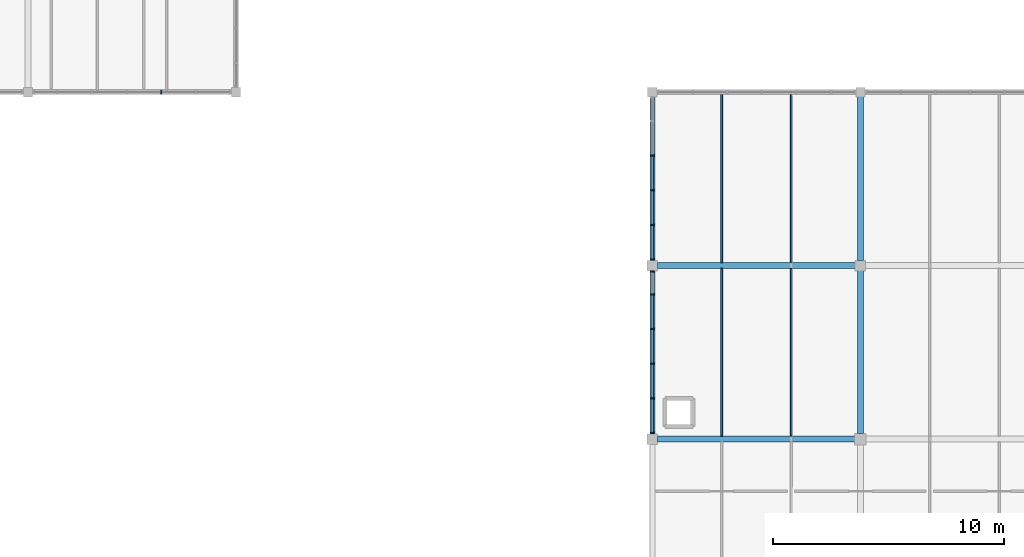
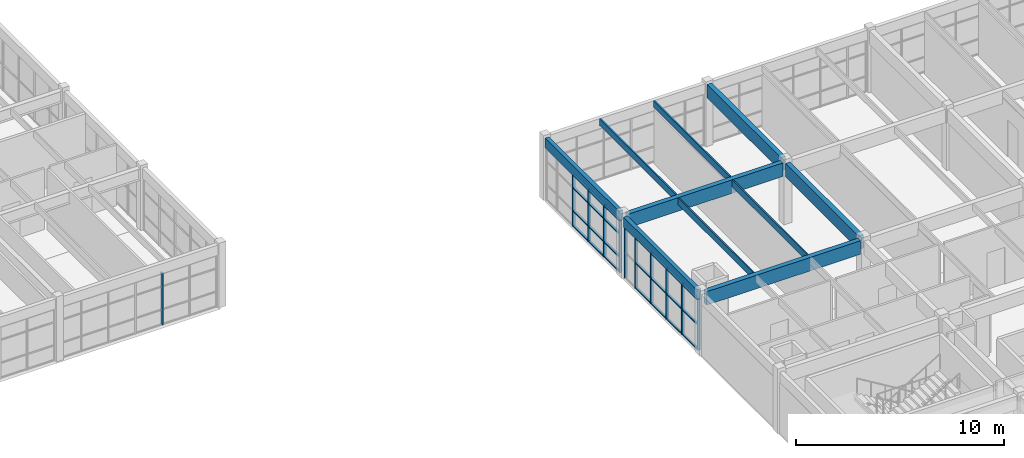
# One storey, part 27 of 81: 35 members, 10 beams, 3 elements without a shape of their own.
"""IFC4 building model written with IfcOpenShell, lengths in metres."""

from ifc_helpers import new_model, si_unit, direction, frame, origin, origin_2d, place, context, subcontext, project, spatial, rectangle, extrude, material, layer, layer_set, material_profile, profile_set, type_object, element, aggregate, save


model = new_model("IFC4")

# Units and contexts
model_context = context("Model", 3, precision=1e-05, world=origin(), true_north=direction((0.0, 1.0)))
body_context = subcontext(model_context, "Body", "Model", "MODEL_VIEW")
ifc_project = project(units=[si_unit("LENGTHUNIT", "METRE"), si_unit("AREAUNIT", "SQUARE_METRE"), si_unit("VOLUMEUNIT", "CUBIC_METRE"), si_unit("PLANEANGLEUNIT", "RADIAN"), si_unit("MASSUNIT", "GRAM", prefix="KILO")], contexts=[model_context])

# Site, building, storey
site_placement = place(None, origin())
site = spatial("IfcSite", under=ifc_project, at=site_placement, CompositionType="ELEMENT")
building_placement = place(site_placement, origin())
building = spatial("IfcBuilding", under=site, at=building_placement, Name="Marnridge Secondary College", CompositionType="ELEMENT")
storey_placement = place(building_placement, frame((0.0, 0.0, 8.5)))
storey = spatial("IfcBuildingStorey", under=building, at=storey_placement, Name="L02", CompositionType="ELEMENT", Elevation=8.5)

# Beams
ifc_material_1 = material(Name="Glulam timber GL18", Category="wood")
ifc_material_profile_1 = material_profile(ifc_material_1, rectangle(XDim=0.215087890625, YDim=0.5849609375, at=origin_2d()), Name="GL18 215x585")
ifc_profile_set_1 = profile_set([ifc_material_profile_1], Name="Glulam timber GL18")
beam_type_1 = type_object("IfcBeamType", Name="BM-GL585-EXT", PredefinedType="SPANDREL", material=ifc_profile_set_1)
beam_1_placement = place(storey_placement, frame((54.0, 67.718994140625, 3.277587890625), z_axis=(0.0, 1.0, 0.0), x_axis=(-1.0, 0.0, 0.0)))
element("IfcBeam", 1, at=beam_1_placement, inside=storey, type_object=beam_type_1, Name="Beam BS-L02-0767", PredefinedType="SPANDREL", context=body_context, shape_type="SweptSolid", body=[
    extrude(rectangle(XDim=0.215087890625, YDim=0.5849609375, at=origin_2d()), origin(), (0.0, 0.0, 1.0), 7.06201171875),
])
beam_2_placement = place(storey_placement, frame((54.0, 75.218994140625, 3.347412109375), z_axis=(0.0, 1.0, 0.0), x_axis=(-1.0, 0.0, 0.0)))
element("IfcBeam", 2, at=beam_2_placement, inside=storey, type_object=beam_type_1, Name="Beam BS-L02-0806", PredefinedType="SPANDREL", context=body_context, shape_type="SweptSolid", body=[
    extrude(rectangle(XDim=0.215087890625, YDim=0.5849609375, at=origin_2d()), origin(), (0.0, 0.0, 1.0), 7.0869140625),
])
ifc_material_2 = material(Name="Glulam timber GL18", Category="wood")
ifc_material_profile_2 = material_profile(ifc_material_2, rectangle(XDim=0.260009765625, YDim=0.7900390625, at=origin_2d()), Name="GL18 260x790")
ifc_profile_set_2 = profile_set([ifc_material_profile_2], Name="Glulam timber GL18")
beam_type_2 = type_object("IfcBeamType", Name="BM-GL790-INT", PredefinedType="BEAM", material=ifc_profile_set_2)
beam_3_placement = place(storey_placement, frame((54.218994140625, 67.5, 3.175048828125), z_axis=(1.0, 0.0, 0.0), x_axis=(0.0, 1.0, 0.0)))
element("IfcBeam", 3, at=beam_3_placement, inside=storey, type_object=beam_type_2, Name="Beam B-L02-0763", PredefinedType="BEAM", context=body_context, shape_type="SweptSolid", body=[
    extrude(rectangle(XDim=0.260009765625, YDim=0.7900390625, at=origin_2d()), origin(), (0.0, 0.0, 1.0), 8.537109375),
])
beam_4_placement = place(storey_placement, frame((54.218994140625, 75.0, 3.175048828125), z_axis=(1.0, 0.0, 0.0), x_axis=(0.0, 1.0, 0.0)))
element("IfcBeam", 4, at=beam_4_placement, inside=storey, type_object=beam_type_2, Name="Beam B-L02-0766", PredefinedType="BEAM", context=body_context, shape_type="SweptSolid", body=[
    extrude(rectangle(XDim=0.260009765625, YDim=0.7900390625, at=origin_2d()), origin(), (0.0, 0.0, 1.0), 8.56201171875),
])
beam_5_placement = place(storey_placement, frame((63.0, 67.743896484375, 3.175048828125), z_axis=(0.0, 1.0, 0.0), x_axis=(-1.0, 0.0, 0.0)))
element("IfcBeam", 5, at=beam_5_placement, inside=storey, type_object=beam_type_2, Name="Beam B-L02-0768", PredefinedType="BEAM", context=body_context, shape_type="SweptSolid", body=[
    extrude(rectangle(XDim=0.260009765625, YDim=0.7900390625, at=origin_2d()), origin(), (0.0, 0.0, 1.0), 7.037109375),
])
beam_6_placement = place(storey_placement, frame((63.0, 75.218994140625, 3.2451171875), z_axis=(0.0, 1.0, 0.0), x_axis=(-1.0, 0.0, 0.0)))
element("IfcBeam", 6, at=beam_6_placement, inside=storey, type_object=beam_type_2, Name="Beam B-L02-0807", PredefinedType="BEAM", context=body_context, shape_type="SweptSolid", body=[
    extrude(rectangle(XDim=0.260009765625, YDim=0.7900390625, at=origin_2d()), origin(), (0.0, 0.0, 1.0), 7.0869140625),
])
ifc_material_3 = material(Name="Engineered timber LVL E13.2", Category="wood")
ifc_material_profile_3 = material_profile(ifc_material_3, rectangle(XDim=0.074951171875, YDim=0.39990234375, at=origin_2d()), Name="LVL 75x400")
ifc_profile_set_3 = profile_set([ifc_material_profile_3], Name="Engineered timber LVL E13.2")
beam_type_3 = type_object("IfcBeamType", Name="BM-LVL400-INT", PredefinedType="JOIST", material=ifc_profile_set_3)
for number, where, z_axis, x_axis, name in (
    (7, (57.0, 67.6240234375, 3.3701171875), (0.0, 1.0, 0.0), (-1.0, 0.0, 0.0), "Beam BJ-L02-0818"),
    (8, (60.0, 67.6240234375, 3.3701171875), (0.0, 1.0, 0.0), (-1.0, 0.0, 0.0), "Beam BJ-L02-0819"),
):
    element("IfcBeam", number, at=place(storey_placement, frame(where, z_axis=z_axis, x_axis=x_axis)), inside=storey, type_object=beam_type_3, Name=name, PredefinedType="JOIST", context=body_context, shape_type="SweptSolid", body=[
        extrude(rectangle(XDim=0.074951171875, YDim=0.39990234375, at=origin_2d()), origin(), (0.0, 0.0, 1.0), 7.251953125),
    ])
for number, where, z_axis, x_axis, name in (
    (9, (57.0, 75.1240234375, 3.43994140625), (0.0, 1.0, 0.0), (-1.0, 0.0, 0.0), "Beam BJ-L02-0849"),
    (10, (60.0, 75.1240234375, 3.43994140625), (0.0, 1.0, 0.0), (-1.0, 0.0, 0.0), "Beam BJ-L02-0850"),
):
    element("IfcBeam", number, at=place(storey_placement, frame(where, z_axis=z_axis, x_axis=x_axis)), inside=storey, type_object=beam_type_3, Name=name, PredefinedType="JOIST", context=body_context, shape_type="SweptSolid", body=[
        extrude(rectangle(XDim=0.074951171875, YDim=0.39990234375, at=origin_2d()), origin(), (0.0, 0.0, 1.0), 7.2744140625),
    ])

# Curtain wall, members
ifc_material_4 = material(Name="Thermally broken aluminium and low-E glazing", Category="aluminium")
ifc_layer = layer(ifc_material_4, 0.159912109375)
ifc_layer_set = layer_set([ifc_layer], Name="CW-MOD-1500")
curtain_wall_type = type_object("IfcCurtainWallType", Name="CW-MOD-1500", PredefinedType="NOTDEFINED", material=ifc_layer_set)
curtain_wall_1_placement = place(storey_placement, origin())
curtain_wall_1 = element("IfcCurtainWall", 11, at=curtain_wall_1_placement, inside=storey, type_object=curtain_wall_type, Name="Unitised curtain wall CW-L02-083", PredefinedType="NOTDEFINED")
ifc_material_5 = material(Name="Anodised aluminium 6063-T6", Category="aluminium")
ifc_material_profile_4 = material_profile(ifc_material_5, rectangle(XDim=0.06005859375, YDim=0.159912109375, at=origin_2d()), Name="ALU 60x160")
ifc_profile_set_4 = profile_set([ifc_material_profile_4], Name="Anodised aluminium 6063-T6")
member_type_1 = type_object("IfcMemberType", Name="CWM-ALU160", PredefinedType="MULLION", material=ifc_profile_set_4)
member_1_placement = place(storey_placement, frame((54.0, 67.759033203125, 0.0), z_axis=(0.0, 0.0, 1.0), x_axis=(0.0, 1.0, 0.0)))
member_1 = element("IfcMember", 12, at=member_1_placement, type_object=member_type_1, Name="CW-L02-083 mullion 1", PredefinedType="MULLION", context=body_context, shape_type="SweptSolid", body=[
    extrude(rectangle(XDim=0.06005859375, YDim=0.159912109375, at=origin_2d()), origin(), (0.0, 0.0, 1.0), 2.97705078125),
])
member_2_placement = place(storey_placement, frame((54.0, 69.259033203125, 0.0), z_axis=(0.0, 0.0, 1.0), x_axis=(0.0, 1.0, 0.0)))
member_2 = element("IfcMember", 13, at=member_2_placement, type_object=member_type_1, Name="CW-L02-083 mullion 2", PredefinedType="MULLION", context=body_context, shape_type="SweptSolid", body=[
    extrude(rectangle(XDim=0.06005859375, YDim=0.159912109375, at=origin_2d()), origin(), (0.0, 0.0, 1.0), 2.97705078125),
])
member_3_placement = place(storey_placement, frame((54.0, 70.759033203125, 0.0), z_axis=(0.0, 0.0, 1.0), x_axis=(0.0, 1.0, 0.0)))
member_3 = element("IfcMember", 14, at=member_3_placement, type_object=member_type_1, Name="CW-L02-083 mullion 3", PredefinedType="MULLION", context=body_context, shape_type="SweptSolid", body=[
    extrude(rectangle(XDim=0.06005859375, YDim=0.159912109375, at=origin_2d()), origin(), (0.0, 0.0, 1.0), 2.97705078125),
])
member_4_placement = place(storey_placement, frame((54.0, 72.259033203125, 0.0), z_axis=(0.0, 0.0, 1.0), x_axis=(0.0, 1.0, 0.0)))
member_4 = element("IfcMember", 15, at=member_4_placement, type_object=member_type_1, Name="CW-L02-083 mullion 4", PredefinedType="MULLION", context=body_context, shape_type="SweptSolid", body=[
    extrude(rectangle(XDim=0.06005859375, YDim=0.159912109375, at=origin_2d()), origin(), (0.0, 0.0, 1.0), 2.97705078125),
])
member_5_placement = place(storey_placement, frame((54.0, 73.759033203125, 0.0), z_axis=(0.0, 0.0, 1.0), x_axis=(0.0, 1.0, 0.0)))
member_5 = element("IfcMember", 16, at=member_5_placement, type_object=member_type_1, Name="CW-L02-083 mullion 5", PredefinedType="MULLION", context=body_context, shape_type="SweptSolid", body=[
    extrude(rectangle(XDim=0.06005859375, YDim=0.159912109375, at=origin_2d()), origin(), (0.0, 0.0, 1.0), 2.97705078125),
])
member_6_placement = place(storey_placement, frame((54.0, 74.740966796875, 0.0), z_axis=(0.0, 0.0, 1.0), x_axis=(0.0, 1.0, 0.0)))
member_6 = element("IfcMember", 17, at=member_6_placement, type_object=member_type_1, Name="CW-L02-083 mullion 6", PredefinedType="MULLION", context=body_context, shape_type="SweptSolid", body=[
    extrude(rectangle(XDim=0.06005859375, YDim=0.159912109375, at=origin_2d()), origin(), (0.0, 0.0, 1.0), 2.97705078125),
])

curtain_wall_2_placement = place(storey_placement, origin())
curtain_wall_2 = element("IfcCurtainWall", 18, at=curtain_wall_2_placement, inside=storey, type_object=curtain_wall_type, Name="Unitised curtain wall CW-L02-084", PredefinedType="NOTDEFINED")
member_7_placement = place(storey_placement, frame((54.0, 75.259033203125, 0.0), z_axis=(0.0, 0.0, 1.0), x_axis=(0.0, 1.0, 0.0)))
member_7 = element("IfcMember", 19, at=member_7_placement, type_object=member_type_1, Name="CW-L02-084 mullion 1", PredefinedType="MULLION", context=body_context, shape_type="SweptSolid", body=[
    extrude(rectangle(XDim=0.06005859375, YDim=0.159912109375, at=origin_2d()), origin(), (0.0, 0.0, 1.0), 3.047119140625),
])
member_8_placement = place(storey_placement, frame((54.0, 76.759033203125, 0.0), z_axis=(0.0, 0.0, 1.0), x_axis=(0.0, 1.0, 0.0)))
member_8 = element("IfcMember", 20, at=member_8_placement, type_object=member_type_1, Name="CW-L02-084 mullion 2", PredefinedType="MULLION", context=body_context, shape_type="SweptSolid", body=[
    extrude(rectangle(XDim=0.06005859375, YDim=0.159912109375, at=origin_2d()), origin(), (0.0, 0.0, 1.0), 3.047119140625),
])
member_9_placement = place(storey_placement, frame((54.0, 78.259033203125, 0.0), z_axis=(0.0, 0.0, 1.0), x_axis=(0.0, 1.0, 0.0)))
member_9 = element("IfcMember", 21, at=member_9_placement, type_object=member_type_1, Name="CW-L02-084 mullion 3", PredefinedType="MULLION", context=body_context, shape_type="SweptSolid", body=[
    extrude(rectangle(XDim=0.06005859375, YDim=0.159912109375, at=origin_2d()), origin(), (0.0, 0.0, 1.0), 3.047119140625),
])
member_10_placement = place(storey_placement, frame((54.0, 79.759033203125, 0.0), z_axis=(0.0, 0.0, 1.0), x_axis=(0.0, 1.0, 0.0)))
member_10 = element("IfcMember", 22, at=member_10_placement, type_object=member_type_1, Name="CW-L02-084 mullion 4", PredefinedType="MULLION", context=body_context, shape_type="SweptSolid", body=[
    extrude(rectangle(XDim=0.06005859375, YDim=0.159912109375, at=origin_2d()), origin(), (0.0, 0.0, 1.0), 3.047119140625),
])

# Curtain wall, member
curtain_wall_3_placement = place(storey_placement, origin())
curtain_wall_3 = element("IfcCurtainWall", 23, at=curtain_wall_3_placement, inside=storey, type_object=curtain_wall_type, Name="Unitised curtain wall CW-L02-092", PredefinedType="NOTDEFINED")
member_11_placement = place(storey_placement, frame((32.76611328125, 82.5, 0.0), z_axis=(0.0, 0.0, 1.0), x_axis=(-1.0, 0.0, 0.0)))
member_11 = element("IfcMember", 24, at=member_11_placement, type_object=member_type_1, Name="CW-L02-092 mullion 3", PredefinedType="MULLION", context=body_context, shape_type="SweptSolid", body=[
    extrude(rectangle(XDim=0.06005859375, YDim=0.159912109375, at=origin_2d()), origin(), (0.0, 0.0, 1.0), 3.047119140625),
])
aggregate(curtain_wall_3, [member_11])

# Member
ifc_material_6 = material(Name="Anodised aluminium 6063-T6", Category="aluminium")
ifc_material_profile_5 = material_profile(ifc_material_6, rectangle(XDim=0.06005859375, YDim=0.1201171875, at=origin_2d()), Name="ALU 60x120")
ifc_profile_set_5 = profile_set([ifc_material_profile_5], Name="Anodised aluminium 6063-T6")
member_type_2 = type_object("IfcMemberType", Name="CWT-ALU120", PredefinedType="USERDEFINED", material=ifc_profile_set_5)
member_12_placement = place(storey_placement, frame((54.0, 67.7890625, 0.030029296875), z_axis=(0.0, 1.0, 0.0), x_axis=(0.0, 0.0, 1.0)))
member_12 = element("IfcMember", 25, at=member_12_placement, type_object=member_type_2, Name="CW-L02-083 transom 1.1", ObjectType="TRANSOM", PredefinedType="USERDEFINED", context=body_context, shape_type="SweptSolid", body=[
    extrude(rectangle(XDim=0.06005859375, YDim=0.1201171875, at=origin_2d()), origin(), (0.0, 0.0, 1.0), 1.43994140625),
])

member_13_placement = place(storey_placement, frame((54.0, 67.7890625, 1.489013671875), z_axis=(0.0, 1.0, 0.0), x_axis=(0.0, 0.0, 1.0)))
member_13 = element("IfcMember", 26, at=member_13_placement, type_object=member_type_2, Name="CW-L02-083 transom 1.2", ObjectType="TRANSOM", PredefinedType="USERDEFINED", context=body_context, shape_type="SweptSolid", body=[
    extrude(rectangle(XDim=0.06005859375, YDim=0.1201171875, at=origin_2d()), origin(), (0.0, 0.0, 1.0), 1.43994140625),
])

member_14_placement = place(storey_placement, frame((54.0, 67.7890625, 2.947021484375), z_axis=(0.0, 1.0, 0.0), x_axis=(0.0, 0.0, 1.0)))
member_14 = element("IfcMember", 27, at=member_14_placement, type_object=member_type_2, Name="CW-L02-083 transom 1.3", ObjectType="TRANSOM", PredefinedType="USERDEFINED", context=body_context, shape_type="SweptSolid", body=[
    extrude(rectangle(XDim=0.06005859375, YDim=0.1201171875, at=origin_2d()), origin(), (0.0, 0.0, 1.0), 1.43994140625),
])

member_15_placement = place(storey_placement, frame((54.0, 69.2890625, 0.030029296875), z_axis=(0.0, 1.0, 0.0), x_axis=(0.0, 0.0, 1.0)))
member_15 = element("IfcMember", 28, at=member_15_placement, type_object=member_type_2, Name="CW-L02-083 transom 2.1", ObjectType="TRANSOM", PredefinedType="USERDEFINED", context=body_context, shape_type="SweptSolid", body=[
    extrude(rectangle(XDim=0.06005859375, YDim=0.1201171875, at=origin_2d()), origin(), (0.0, 0.0, 1.0), 1.43994140625),
])

member_16_placement = place(storey_placement, frame((54.0, 69.2890625, 1.489013671875), z_axis=(0.0, 1.0, 0.0), x_axis=(0.0, 0.0, 1.0)))
member_16 = element("IfcMember", 29, at=member_16_placement, type_object=member_type_2, Name="CW-L02-083 transom 2.2", ObjectType="TRANSOM", PredefinedType="USERDEFINED", context=body_context, shape_type="SweptSolid", body=[
    extrude(rectangle(XDim=0.06005859375, YDim=0.1201171875, at=origin_2d()), origin(), (0.0, 0.0, 1.0), 1.43994140625),
])

member_17_placement = place(storey_placement, frame((54.0, 69.2890625, 2.947021484375), z_axis=(0.0, 1.0, 0.0), x_axis=(0.0, 0.0, 1.0)))
member_17 = element("IfcMember", 30, at=member_17_placement, type_object=member_type_2, Name="CW-L02-083 transom 2.3", ObjectType="TRANSOM", PredefinedType="USERDEFINED", context=body_context, shape_type="SweptSolid", body=[
    extrude(rectangle(XDim=0.06005859375, YDim=0.1201171875, at=origin_2d()), origin(), (0.0, 0.0, 1.0), 1.43994140625),
])

member_18_placement = place(storey_placement, frame((54.0, 70.7890625, 0.030029296875), z_axis=(0.0, 1.0, 0.0), x_axis=(0.0, 0.0, 1.0)))
member_18 = element("IfcMember", 31, at=member_18_placement, type_object=member_type_2, Name="CW-L02-083 transom 3.1", ObjectType="TRANSOM", PredefinedType="USERDEFINED", context=body_context, shape_type="SweptSolid", body=[
    extrude(rectangle(XDim=0.06005859375, YDim=0.1201171875, at=origin_2d()), origin(), (0.0, 0.0, 1.0), 1.43994140625),
])

member_19_placement = place(storey_placement, frame((54.0, 70.7890625, 1.489013671875), z_axis=(0.0, 1.0, 0.0), x_axis=(0.0, 0.0, 1.0)))
member_19 = element("IfcMember", 32, at=member_19_placement, type_object=member_type_2, Name="CW-L02-083 transom 3.2", ObjectType="TRANSOM", PredefinedType="USERDEFINED", context=body_context, shape_type="SweptSolid", body=[
    extrude(rectangle(XDim=0.06005859375, YDim=0.1201171875, at=origin_2d()), origin(), (0.0, 0.0, 1.0), 1.43994140625),
])

member_20_placement = place(storey_placement, frame((54.0, 70.7890625, 2.947021484375), z_axis=(0.0, 1.0, 0.0), x_axis=(0.0, 0.0, 1.0)))
member_20 = element("IfcMember", 33, at=member_20_placement, type_object=member_type_2, Name="CW-L02-083 transom 3.3", ObjectType="TRANSOM", PredefinedType="USERDEFINED", context=body_context, shape_type="SweptSolid", body=[
    extrude(rectangle(XDim=0.06005859375, YDim=0.1201171875, at=origin_2d()), origin(), (0.0, 0.0, 1.0), 1.43994140625),
])

member_21_placement = place(storey_placement, frame((54.0, 72.2890625, 0.030029296875), z_axis=(0.0, 1.0, 0.0), x_axis=(0.0, 0.0, 1.0)))
member_21 = element("IfcMember", 34, at=member_21_placement, type_object=member_type_2, Name="CW-L02-083 transom 4.1", ObjectType="TRANSOM", PredefinedType="USERDEFINED", context=body_context, shape_type="SweptSolid", body=[
    extrude(rectangle(XDim=0.06005859375, YDim=0.1201171875, at=origin_2d()), origin(), (0.0, 0.0, 1.0), 1.43994140625),
])

member_22_placement = place(storey_placement, frame((54.0, 72.2890625, 1.489013671875), z_axis=(0.0, 1.0, 0.0), x_axis=(0.0, 0.0, 1.0)))
member_22 = element("IfcMember", 35, at=member_22_placement, type_object=member_type_2, Name="CW-L02-083 transom 4.2", ObjectType="TRANSOM", PredefinedType="USERDEFINED", context=body_context, shape_type="SweptSolid", body=[
    extrude(rectangle(XDim=0.06005859375, YDim=0.1201171875, at=origin_2d()), origin(), (0.0, 0.0, 1.0), 1.43994140625),
])

member_23_placement = place(storey_placement, frame((54.0, 72.2890625, 2.947021484375), z_axis=(0.0, 1.0, 0.0), x_axis=(0.0, 0.0, 1.0)))
member_23 = element("IfcMember", 36, at=member_23_placement, type_object=member_type_2, Name="CW-L02-083 transom 4.3", ObjectType="TRANSOM", PredefinedType="USERDEFINED", context=body_context, shape_type="SweptSolid", body=[
    extrude(rectangle(XDim=0.06005859375, YDim=0.1201171875, at=origin_2d()), origin(), (0.0, 0.0, 1.0), 1.43994140625),
])

aggregate(curtain_wall_1, [member_1, member_2, member_3, member_4, member_5, member_6, member_12, member_13, member_14, member_15, member_16, member_17, member_18, member_19, member_20, member_21, member_22, member_23])

member_24_placement = place(storey_placement, frame((54.0, 75.2890625, 0.030029296875), z_axis=(0.0, 1.0, 0.0), x_axis=(0.0, 0.0, 1.0)))
member_24 = element("IfcMember", 37, at=member_24_placement, type_object=member_type_2, Name="CW-L02-084 transom 1.1", ObjectType="TRANSOM", PredefinedType="USERDEFINED", context=body_context, shape_type="SweptSolid", body=[
    extrude(rectangle(XDim=0.06005859375, YDim=0.1201171875, at=origin_2d()), origin(), (0.0, 0.0, 1.0), 1.43994140625),
])

member_25_placement = place(storey_placement, frame((54.0, 75.2890625, 0.89990234375), z_axis=(0.0, 1.0, 0.0), x_axis=(0.0, 0.0, 1.0)))
member_25 = element("IfcMember", 38, at=member_25_placement, type_object=member_type_2, Name="CW-L02-084 transom 1.2", ObjectType="TRANSOM", PredefinedType="USERDEFINED", context=body_context, shape_type="SweptSolid", body=[
    extrude(rectangle(XDim=0.06005859375, YDim=0.1201171875, at=origin_2d()), origin(), (0.0, 0.0, 1.0), 1.43994140625),
])

member_26_placement = place(storey_placement, frame((54.0, 75.2890625, 2.25), z_axis=(0.0, 1.0, 0.0), x_axis=(0.0, 0.0, 1.0)))
member_26 = element("IfcMember", 39, at=member_26_placement, type_object=member_type_2, Name="CW-L02-084 transom 1.3", ObjectType="TRANSOM", PredefinedType="USERDEFINED", context=body_context, shape_type="SweptSolid", body=[
    extrude(rectangle(XDim=0.06005859375, YDim=0.1201171875, at=origin_2d()), origin(), (0.0, 0.0, 1.0), 1.43994140625),
])

member_27_placement = place(storey_placement, frame((54.0, 75.2890625, 3.01708984375), z_axis=(0.0, 1.0, 0.0), x_axis=(0.0, 0.0, 1.0)))
member_27 = element("IfcMember", 40, at=member_27_placement, type_object=member_type_2, Name="CW-L02-084 transom 1.4", ObjectType="TRANSOM", PredefinedType="USERDEFINED", context=body_context, shape_type="SweptSolid", body=[
    extrude(rectangle(XDim=0.06005859375, YDim=0.1201171875, at=origin_2d()), origin(), (0.0, 0.0, 1.0), 1.43994140625),
])

member_28_placement = place(storey_placement, frame((54.0, 76.7890625, 0.030029296875), z_axis=(0.0, 1.0, 0.0), x_axis=(0.0, 0.0, 1.0)))
member_28 = element("IfcMember", 41, at=member_28_placement, type_object=member_type_2, Name="CW-L02-084 transom 2.1", ObjectType="TRANSOM", PredefinedType="USERDEFINED", context=body_context, shape_type="SweptSolid", body=[
    extrude(rectangle(XDim=0.06005859375, YDim=0.1201171875, at=origin_2d()), origin(), (0.0, 0.0, 1.0), 1.43994140625),
])

member_29_placement = place(storey_placement, frame((54.0, 76.7890625, 0.89990234375), z_axis=(0.0, 1.0, 0.0), x_axis=(0.0, 0.0, 1.0)))
member_29 = element("IfcMember", 42, at=member_29_placement, type_object=member_type_2, Name="CW-L02-084 transom 2.2", ObjectType="TRANSOM", PredefinedType="USERDEFINED", context=body_context, shape_type="SweptSolid", body=[
    extrude(rectangle(XDim=0.06005859375, YDim=0.1201171875, at=origin_2d()), origin(), (0.0, 0.0, 1.0), 1.43994140625),
])

member_30_placement = place(storey_placement, frame((54.0, 76.7890625, 2.25), z_axis=(0.0, 1.0, 0.0), x_axis=(0.0, 0.0, 1.0)))
member_30 = element("IfcMember", 43, at=member_30_placement, type_object=member_type_2, Name="CW-L02-084 transom 2.3", ObjectType="TRANSOM", PredefinedType="USERDEFINED", context=body_context, shape_type="SweptSolid", body=[
    extrude(rectangle(XDim=0.06005859375, YDim=0.1201171875, at=origin_2d()), origin(), (0.0, 0.0, 1.0), 1.43994140625),
])

member_31_placement = place(storey_placement, frame((54.0, 76.7890625, 3.01708984375), z_axis=(0.0, 1.0, 0.0), x_axis=(0.0, 0.0, 1.0)))
member_31 = element("IfcMember", 44, at=member_31_placement, type_object=member_type_2, Name="CW-L02-084 transom 2.4", ObjectType="TRANSOM", PredefinedType="USERDEFINED", context=body_context, shape_type="SweptSolid", body=[
    extrude(rectangle(XDim=0.06005859375, YDim=0.1201171875, at=origin_2d()), origin(), (0.0, 0.0, 1.0), 1.43994140625),
])

member_32_placement = place(storey_placement, frame((54.0, 78.2890625, 0.030029296875), z_axis=(0.0, 1.0, 0.0), x_axis=(0.0, 0.0, 1.0)))
member_32 = element("IfcMember", 45, at=member_32_placement, type_object=member_type_2, Name="CW-L02-084 transom 3.1", ObjectType="TRANSOM", PredefinedType="USERDEFINED", context=body_context, shape_type="SweptSolid", body=[
    extrude(rectangle(XDim=0.06005859375, YDim=0.1201171875, at=origin_2d()), origin(), (0.0, 0.0, 1.0), 1.43994140625),
])

member_33_placement = place(storey_placement, frame((54.0, 78.2890625, 0.89990234375), z_axis=(0.0, 1.0, 0.0), x_axis=(0.0, 0.0, 1.0)))
member_33 = element("IfcMember", 46, at=member_33_placement, type_object=member_type_2, Name="CW-L02-084 transom 3.2", ObjectType="TRANSOM", PredefinedType="USERDEFINED", context=body_context, shape_type="SweptSolid", body=[
    extrude(rectangle(XDim=0.06005859375, YDim=0.1201171875, at=origin_2d()), origin(), (0.0, 0.0, 1.0), 1.43994140625),
])

member_34_placement = place(storey_placement, frame((54.0, 78.2890625, 2.25), z_axis=(0.0, 1.0, 0.0), x_axis=(0.0, 0.0, 1.0)))
member_34 = element("IfcMember", 47, at=member_34_placement, type_object=member_type_2, Name="CW-L02-084 transom 3.3", ObjectType="TRANSOM", PredefinedType="USERDEFINED", context=body_context, shape_type="SweptSolid", body=[
    extrude(rectangle(XDim=0.06005859375, YDim=0.1201171875, at=origin_2d()), origin(), (0.0, 0.0, 1.0), 1.43994140625),
])

member_35_placement = place(storey_placement, frame((54.0, 78.2890625, 3.01708984375), z_axis=(0.0, 1.0, 0.0), x_axis=(0.0, 0.0, 1.0)))
member_35 = element("IfcMember", 48, at=member_35_placement, type_object=member_type_2, Name="CW-L02-084 transom 3.4", ObjectType="TRANSOM", PredefinedType="USERDEFINED", context=body_context, shape_type="SweptSolid", body=[
    extrude(rectangle(XDim=0.06005859375, YDim=0.1201171875, at=origin_2d()), origin(), (0.0, 0.0, 1.0), 1.43994140625),
])

aggregate(curtain_wall_2, [member_7, member_8, member_9, member_10, member_24, member_25, member_26, member_27, member_28, member_29, member_30, member_31, member_32, member_33, member_34, member_35])

save(model, "model.ifc")
